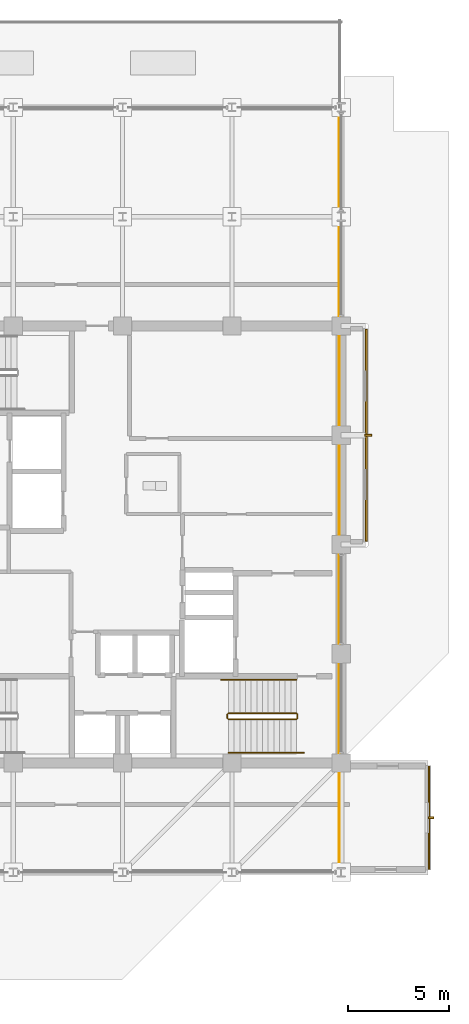
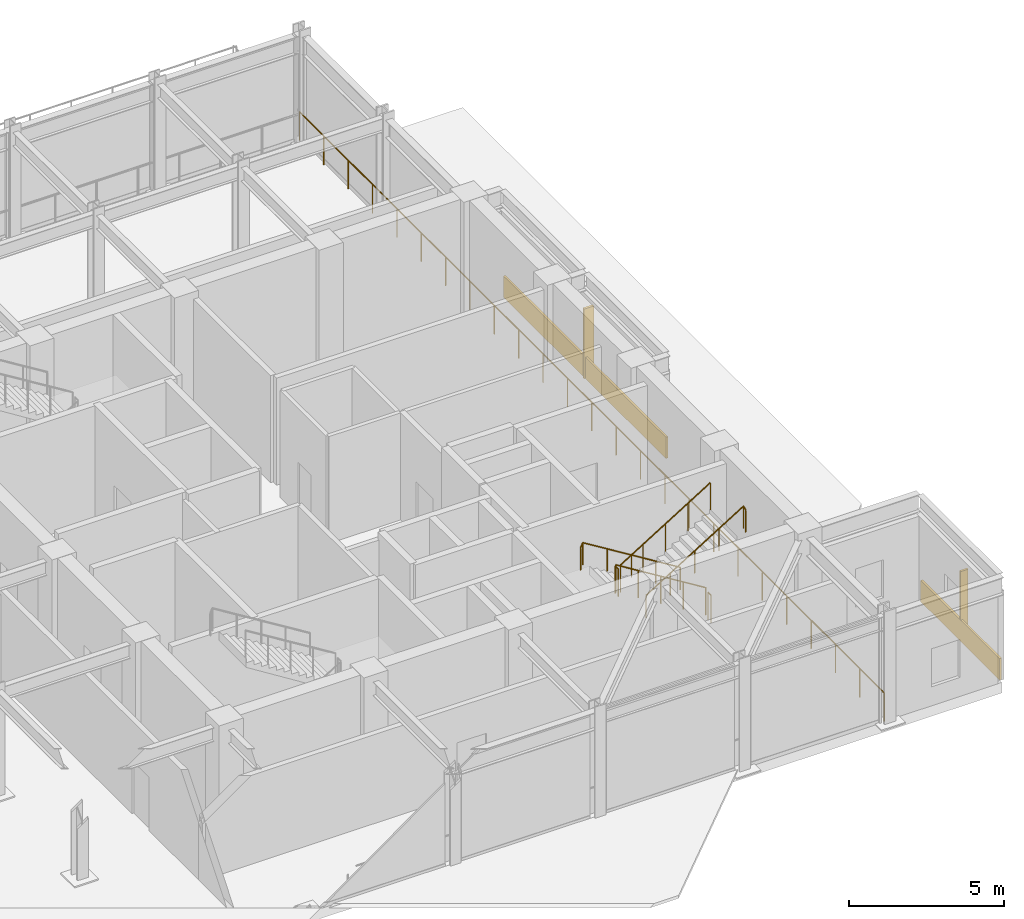
# One storey, part 19 of 22: 7 railings, 2 coverings, 2 shading devices.
"""IFC4 building model written with IfcOpenShell, lengths in metres."""

from ifc_helpers import new_model, si_unit, direction, frame, origin, origin_2d, place, context, subcontext, project, spatial, rectangle, circle, extrude, material, layer, layer_set, type_object, element, save


model = new_model("IFC4")

# Units and contexts
model_context = context("Model", 3, precision=1e-05, world=origin(), true_north=direction((0.0, 1.0)))
body_context = subcontext(model_context, "Body", "Model", "MODEL_VIEW")
ifc_project = project(units=[si_unit("LENGTHUNIT", "METRE"), si_unit("AREAUNIT", "SQUARE_METRE"), si_unit("VOLUMEUNIT", "CUBIC_METRE"), si_unit("PLANEANGLEUNIT", "RADIAN"), si_unit("MASSUNIT", "GRAM", prefix="KILO")], contexts=[model_context])

# Site, building, storey
site_placement = place(None, origin())
site = spatial("IfcSite", under=ifc_project, at=site_placement, CompositionType="ELEMENT")
building_placement = place(site_placement, origin())
building = spatial("IfcBuilding", under=site, at=building_placement, Name="Surkhivell Harbour Commons", CompositionType="ELEMENT")
storey_placement = place(building_placement, frame((0.0, 0.0, 337.5)))
storey = spatial("IfcBuildingStorey", under=building, at=storey_placement, Name="L88", CompositionType="ELEMENT", Elevation=337.5)

# Coverings
ifc_material_1 = material(Name="Emerald-teal enamelled aluminium cassette panel", Category="aluminium")
ifc_layer_1 = layer(ifc_material_1, 0.068115234375)
ifc_layer_set_1 = layer_set([ifc_layer_1], Name="Emerald-teal enamelled aluminium cassette panel")
covering_type_1 = type_object("IfcCoveringType", Name="COV-CLAD-EME", PredefinedType="CLADDING", material=ifc_layer_set_1)
covering_1_placement = place(storey_placement, frame((12.0400390625, 5.39990234375, 0.0), z_axis=(0.0, 0.0, 1.0), x_axis=(1.0, 0.0, 0.0)))
element("IfcCovering", 1, at=covering_1_placement, inside=storey, type_object=covering_type_1, Name="L88 Coloured-Panel Box Spandrel Cassette 02", PredefinedType="CLADDING", context=body_context, shape_type="SweptSolid", body=[
    extrude(rectangle(XDim=0.080078125, YDim=10.5, at=origin_2d()), origin(), (0.0, 0.0, 1.0), 0.840087890625),
])
ifc_material_2 = material(Name="Vermilion-coral enamelled aluminium cassette panel", Category="aluminium")
ifc_layer_2 = layer(ifc_material_2, 0.074951171875)
ifc_layer_set_2 = layer_set([ifc_layer_2], Name="Vermilion-coral enamelled aluminium cassette panel")
covering_type_2 = type_object("IfcCoveringType", Name="COV-CLAD-VER", PredefinedType="CLADDING", material=ifc_layer_set_2)
covering_2_placement = place(storey_placement, frame((15.139892578125, -13.5, 0.0), z_axis=(0.0, 0.0, 1.0), x_axis=(1.0, 0.0, 0.0)))
element("IfcCovering", 2, at=covering_2_placement, inside=storey, type_object=covering_type_2, Name="L88 Coloured-Panel Box Spandrel Cassette 01", PredefinedType="CLADDING", context=body_context, shape_type="SweptSolid", body=[
    extrude(rectangle(XDim=0.080078125, YDim=5.10009765625, at=origin_2d()), origin(), (0.0, 0.0, 1.0), 0.840087890625),
])

# Railings
ifc_material_3 = material(Name="Laminated safety glass and stainless steel S355 balustrade", Category="steel")
railing_type_1 = type_object("IfcRailingType", Name="RAL-BAL-1150", PredefinedType="BALUSTRADE", material=ifc_material_3)
railing_1_placement = place(storey_placement, frame((10.7099609375, -16.199951171875, 0.0)))
element("IfcRailing", 3, at=railing_1_placement, inside=storey, type_object=railing_type_1, Name="L88 Perimeter Safety Guard 02", PredefinedType="BALUSTRADE", context=body_context, shape_type="SweptSolid", body=[
    extrude(circle(Radius=0.02392578125, at=origin_2d()), frame((0.0, 0.0, 1.1259765625), z_axis=(0.0, 1.0, 0.0), x_axis=(-1.0, 0.0, 0.0)), (0.0, 0.0, 1.0), 37.800048828125),
    extrude(circle(Radius=0.02099609375, at=origin_2d()), origin(), (0.0, 0.0, 1.0), 1.101806640625),
    extrude(circle(Radius=0.02099609375, at=origin_2d()), frame((0.0, 1.574951171875, 0.0)), (0.0, 0.0, 1.0), 1.101806640625),
    extrude(circle(Radius=0.02099609375, at=origin_2d()), frame((0.0, 3.14990234375, 0.0)), (0.0, 0.0, 1.0), 1.101806640625),
    extrude(circle(Radius=0.02099609375, at=origin_2d()), frame((0.0, 4.72509765625, 0.0)), (0.0, 0.0, 1.0), 1.101806640625),
    extrude(circle(Radius=0.02099609375, at=origin_2d()), frame((0.0, 6.300048828125, 0.0)), (0.0, 0.0, 1.0), 1.101806640625),
    extrude(circle(Radius=0.02099609375, at=origin_2d()), frame((0.0, 7.875, 0.0)), (0.0, 0.0, 1.0), 1.101806640625),
    extrude(circle(Radius=0.02099609375, at=origin_2d()), frame((0.0, 9.449951171875, 0.0)), (0.0, 0.0, 1.0), 1.101806640625),
    extrude(circle(Radius=0.02099609375, at=origin_2d()), frame((0.0, 11.02490234375, 0.0)), (0.0, 0.0, 1.0), 1.101806640625),
    extrude(circle(Radius=0.02099609375, at=origin_2d()), frame((0.0, 12.60009765625, 0.0)), (0.0, 0.0, 1.0), 1.101806640625),
    extrude(circle(Radius=0.02099609375, at=origin_2d()), frame((0.0, 14.175048828125, 0.0)), (0.0, 0.0, 1.0), 1.101806640625),
    extrude(circle(Radius=0.02099609375, at=origin_2d()), frame((0.0, 15.75, 0.0)), (0.0, 0.0, 1.0), 1.101806640625),
    extrude(circle(Radius=0.02099609375, at=origin_2d()), frame((0.0, 17.324951171875, 0.0)), (0.0, 0.0, 1.0), 1.101806640625),
    extrude(circle(Radius=0.02099609375, at=origin_2d()), frame((0.0, 18.89990234375, 0.0)), (0.0, 0.0, 1.0), 1.101806640625),
    extrude(circle(Radius=0.02099609375, at=origin_2d()), frame((0.0, 20.47509765625, 0.0)), (0.0, 0.0, 1.0), 1.101806640625),
    extrude(circle(Radius=0.02099609375, at=origin_2d()), frame((0.0, 22.050048828125, 0.0)), (0.0, 0.0, 1.0), 1.101806640625),
    extrude(circle(Radius=0.02099609375, at=origin_2d()), frame((0.0, 23.625, 0.0)), (0.0, 0.0, 1.0), 1.101806640625),
    extrude(circle(Radius=0.02099609375, at=origin_2d()), frame((0.0, 25.199951171875, 0.0)), (0.0, 0.0, 1.0), 1.101806640625),
    extrude(circle(Radius=0.02099609375, at=origin_2d()), frame((0.0, 26.775146484375, 0.0)), (0.0, 0.0, 1.0), 1.101806640625),
    extrude(circle(Radius=0.02099609375, at=origin_2d()), frame((0.0, 28.35009765625, 0.0)), (0.0, 0.0, 1.0), 1.101806640625),
    extrude(circle(Radius=0.02099609375, at=origin_2d()), frame((0.0, 29.925048828125, 0.0)), (0.0, 0.0, 1.0), 1.101806640625),
    extrude(circle(Radius=0.02099609375, at=origin_2d()), frame((0.0, 31.5, 0.0)), (0.0, 0.0, 1.0), 1.101806640625),
    extrude(circle(Radius=0.02099609375, at=origin_2d()), frame((0.0, 33.074951171875, 0.0)), (0.0, 0.0, 1.0), 1.101806640625),
    extrude(circle(Radius=0.02099609375, at=origin_2d()), frame((0.0, 34.650146484375, 0.0)), (0.0, 0.0, 1.0), 1.101806640625),
    extrude(circle(Radius=0.02099609375, at=origin_2d()), frame((0.0, 36.22509765625, 0.0)), (0.0, 0.0, 1.0), 1.101806640625),
    extrude(circle(Radius=0.02099609375, at=origin_2d()), frame((0.0, 37.800048828125, 0.0)), (0.0, 0.0, 1.0), 1.101806640625),
])
ifc_material_4 = material(Name="Galvanised and painted steel S355 guard rail", Category="steel")
railing_type_2 = type_object("IfcRailingType", Name="RAL-ST-GRD1100", PredefinedType="GUARDRAIL", material=ifc_material_4)
railing_2_placement = place(storey_placement, frame((8.590087890625, -8.340087890625, 0.173095703125)))
element("IfcRailing", 4, at=railing_2_placement, inside=storey, type_object=railing_type_2, Name="L88 ST2 stair guard 1", PredefinedType="GUARDRAIL", context=body_context, shape_type="SweptSolid", body=[
    extrude(circle(Radius=0.02392578125, at=origin_2d()), frame((0.0, 0.0, 1.076171875), z_axis=(-0.850623216509, 0.0, 0.525775754039), x_axis=(0.0, -1.0, 0.0)), (0.0, 0.0, 1.0), 3.9501953125),
    extrude(circle(Radius=0.02099609375, at=origin_2d()), origin(), (0.0, 0.0, 1.0), 1.052001953125),
    extrude(circle(Radius=0.02099609375, at=origin_2d()), frame((-0.840087890625, 0.0, 0.519287109375)), (0.0, 0.0, 1.0), 1.052001953125),
    extrude(circle(Radius=0.02099609375, at=origin_2d()), frame((-1.68017578125, 0.0, 1.03857421875)), (0.0, 0.0, 1.0), 1.052001953125),
    extrude(circle(Radius=0.02099609375, at=origin_2d()), frame((-2.52001953125, 0.0, 1.5576171875)), (0.0, 0.0, 1.0), 1.052001953125),
    extrude(circle(Radius=0.02099609375, at=origin_2d()), frame((-3.360107421875, 0.0, 2.076904296875)), (0.0, 0.0, 1.0), 1.052001953125),
])
railing_3_placement = place(storey_placement, frame((5.179931640625, -8.389892578125, 2.25)))
element("IfcRailing", 5, at=railing_3_placement, inside=storey, type_object=railing_type_2, Name="L88 ST2 stair guard 2", PredefinedType="GUARDRAIL", context=body_context, shape_type="SweptSolid", body=[
    extrude(circle(Radius=0.02392578125, at=origin_2d()), frame((0.0, 0.0, 1.076171875), z_axis=(0.0, -1.0, 0.0), x_axis=(1.0, 0.0, 0.0)), (0.0, 0.0, 1.0), 0.2001953125),
    extrude(circle(Radius=0.02099609375, at=origin_2d()), origin(), (0.0, 0.0, 1.0), 1.052001953125),
    extrude(circle(Radius=0.02099609375, at=origin_2d()), frame((0.0, -0.2001953125, 0.0)), (0.0, 0.0, 1.0), 1.052001953125),
])
railing_4_placement = place(storey_placement, frame((5.22998046875, -8.639892578125, 2.423095703125)))
element("IfcRailing", 6, at=railing_4_placement, inside=storey, type_object=railing_type_2, Name="L88 ST2 stair guard 3", PredefinedType="GUARDRAIL", context=body_context, shape_type="SweptSolid", body=[
    extrude(circle(Radius=0.02392578125, at=origin_2d()), frame((0.0, 0.0, 1.076171875), z_axis=(0.850623216509, 0.0, 0.525775754039), x_axis=(0.0, 1.0, 0.0)), (0.0, 0.0, 1.0), 3.9501953125),
    extrude(circle(Radius=0.02099609375, at=origin_2d()), origin(), (0.0, 0.0, 1.0), 1.052001953125),
    extrude(circle(Radius=0.02099609375, at=origin_2d()), frame((0.840087890625, 0.0, 0.519287109375)), (0.0, 0.0, 1.0), 1.052001953125),
    extrude(circle(Radius=0.02099609375, at=origin_2d()), frame((1.68017578125, 0.0, 1.03857421875)), (0.0, 0.0, 1.0), 1.052001953125),
    extrude(circle(Radius=0.02099609375, at=origin_2d()), frame((2.52001953125, 0.0, 1.5576171875)), (0.0, 0.0, 1.0), 1.052001953125),
    extrude(circle(Radius=0.02099609375, at=origin_2d()), frame((3.360107421875, 0.0, 2.076904296875)), (0.0, 0.0, 1.0), 1.052001953125),
])
railing_5_placement = place(storey_placement, frame((8.639892578125, -8.389892578125, 0.0)))
element("IfcRailing", 7, at=railing_5_placement, inside=storey, type_object=railing_type_2, Name="L88 ST2 stair guard 4", PredefinedType="GUARDRAIL", context=body_context, shape_type="SweptSolid", body=[
    extrude(circle(Radius=0.02392578125, at=origin_2d()), frame((0.0, 0.0, 1.076171875), z_axis=(0.0, -1.0, 0.0), x_axis=(1.0, 0.0, 0.0)), (0.0, 0.0, 1.0), 0.2001953125),
    extrude(circle(Radius=0.02099609375, at=origin_2d()), origin(), (0.0, 0.0, 1.0), 1.052001953125),
    extrude(circle(Radius=0.02099609375, at=origin_2d()), frame((0.0, -0.2001953125, 0.0)), (0.0, 0.0, 1.0), 1.052001953125),
])
ifc_material_5 = material(Name="Brushed stainless steel S355 handrail", Category="steel")
railing_type_3 = type_object("IfcRailingType", Name="RAL-ST-HND900", PredefinedType="HANDRAIL", material=ifc_material_5)
railing_6_placement = place(storey_placement, frame((8.590087890625, -6.68994140625, 0.173095703125)))
element("IfcRailing", 8, at=railing_6_placement, inside=storey, type_object=railing_type_3, Name="L88 ST2 stair handrail 1", PredefinedType="HANDRAIL", context=body_context, shape_type="SweptSolid", body=[
    extrude(circle(Radius=0.02392578125, at=origin_2d()), frame((0.0, 0.0, 0.8759765625), z_axis=(-0.850622404505, 0.0, 0.525777067734), x_axis=(0.0, -1.0, 0.0)), (0.0, 0.0, 1.0), 4.279296875),
    extrude(circle(Radius=0.02392578125, at=origin_2d()), frame((-3.64013671875, 0.0, 3.1259765625), z_axis=(-0.418814502111, 0.0, -0.908071810388), x_axis=(0.0, -1.0, 0.0)), (0.0, 0.0, 1.0), 0.190673828125),
    extrude(circle(Radius=0.02099609375, at=origin_2d()), origin(), (0.0, 0.0, 1.0), 0.851806640625),
    extrude(circle(Radius=0.02099609375, at=origin_2d()), frame((-0.91015625, 0.0, 0.5625)), (0.0, 0.0, 1.0), 0.851806640625),
    extrude(circle(Radius=0.02099609375, at=origin_2d()), frame((-1.820068359375, 0.0, 1.125)), (0.0, 0.0, 1.0), 0.851806640625),
    extrude(circle(Radius=0.02099609375, at=origin_2d()), frame((-2.72998046875, 0.0, 1.6875)), (0.0, 0.0, 1.0), 0.851806640625),
    extrude(circle(Radius=0.02099609375, at=origin_2d()), frame((-3.64013671875, 0.0, 2.25)), (0.0, 0.0, 1.0), 0.851806640625),
    extrude(circle(Radius=0.02099609375, at=origin_2d()), frame((-3.719970703125, 0.0, 2.076904296875)), (0.0, 0.0, 1.0), 0.851806640625),
])
railing_7_placement = place(storey_placement, frame((5.22998046875, -10.2900390625, 2.423095703125)))
element("IfcRailing", 9, at=railing_7_placement, inside=storey, type_object=railing_type_3, Name="L88 ST2 stair handrail 2", PredefinedType="HANDRAIL", context=body_context, shape_type="SweptSolid", body=[
    extrude(circle(Radius=0.02392578125, at=origin_2d()), frame((0.0, 0.0, 0.8759765625), z_axis=(0.850622404505, 0.0, 0.525777067734), x_axis=(0.0, 1.0, 0.0)), (0.0, 0.0, 1.0), 4.279296875),
    extrude(circle(Radius=0.02392578125, at=origin_2d()), frame((3.64013671875, 0.0, 3.1259765625), z_axis=(0.418814502111, 0.0, -0.908071810388), x_axis=(0.0, 1.0, 0.0)), (0.0, 0.0, 1.0), 0.190673828125),
    extrude(circle(Radius=0.02099609375, at=origin_2d()), origin(), (0.0, 0.0, 1.0), 0.851806640625),
    extrude(circle(Radius=0.02099609375, at=origin_2d()), frame((0.91015625, 0.0, 0.5625)), (0.0, 0.0, 1.0), 0.851806640625),
    extrude(circle(Radius=0.02099609375, at=origin_2d()), frame((1.820068359375, 0.0, 1.125)), (0.0, 0.0, 1.0), 0.851806640625),
    extrude(circle(Radius=0.02099609375, at=origin_2d()), frame((2.72998046875, 0.0, 1.6875)), (0.0, 0.0, 1.0), 0.851806640625),
    extrude(circle(Radius=0.02099609375, at=origin_2d()), frame((3.64013671875, 0.0, 2.25)), (0.0, 0.0, 1.0), 0.851806640625),
    extrude(circle(Radius=0.02099609375, at=origin_2d()), frame((3.719970703125, 0.0, 2.076904296875)), (0.0, 0.0, 1.0), 0.851806640625),
])

# Shading devices
ifc_material_6 = material(Name="Champagne anodised aluminium solar fin", Category="aluminium")
shading_device_type_1 = type_object("IfcShadingDeviceType", Name="SHD-FIN-SLIM", PredefinedType="USERDEFINED", material=ifc_material_6)
shading_device_1_placement = place(storey_placement, frame((15.239990234375, -13.5, 0.0048828125), z_axis=(0.0, 0.0, 1.0), x_axis=(1.0, 0.0, 0.0)))
element("IfcShadingDevice", 10, at=shading_device_1_placement, inside=storey, type_object=shading_device_type_1, Name="L88 Coloured-Box Solar Fin 01", ObjectType="FIN", PredefinedType="USERDEFINED", context=body_context, shape_type="SweptSolid", body=[
    extrude(rectangle(XDim=0.280029296875, YDim=0.080078125, at=origin_2d()), origin(), (0.0, 0.0, 1.0), 2.75),
])
ifc_material_7 = material(Name="Anodised pale-metal aluminium solar fin", Category="aluminium")
shading_device_type_2 = type_object("IfcShadingDeviceType", Name="SHD-FIN-VERT", PredefinedType="USERDEFINED", material=ifc_material_7)
shading_device_2_placement = place(storey_placement, frame((12.139892578125, 5.39990234375, 0.0048828125), z_axis=(0.0, 0.0, 1.0), x_axis=(1.0, 0.0, 0.0)))
element("IfcShadingDevice", 11, at=shading_device_2_placement, inside=storey, type_object=shading_device_type_2, Name="L88 Coloured-Box Solar Fin 02", ObjectType="FIN", PredefinedType="USERDEFINED", context=body_context, shape_type="SweptSolid", body=[
    extrude(rectangle(XDim=0.360107421875, YDim=0.090087890625, at=origin_2d()), origin(), (0.0, 0.0, 1.0), 2.75),
])

save(model, "model.ifc")
